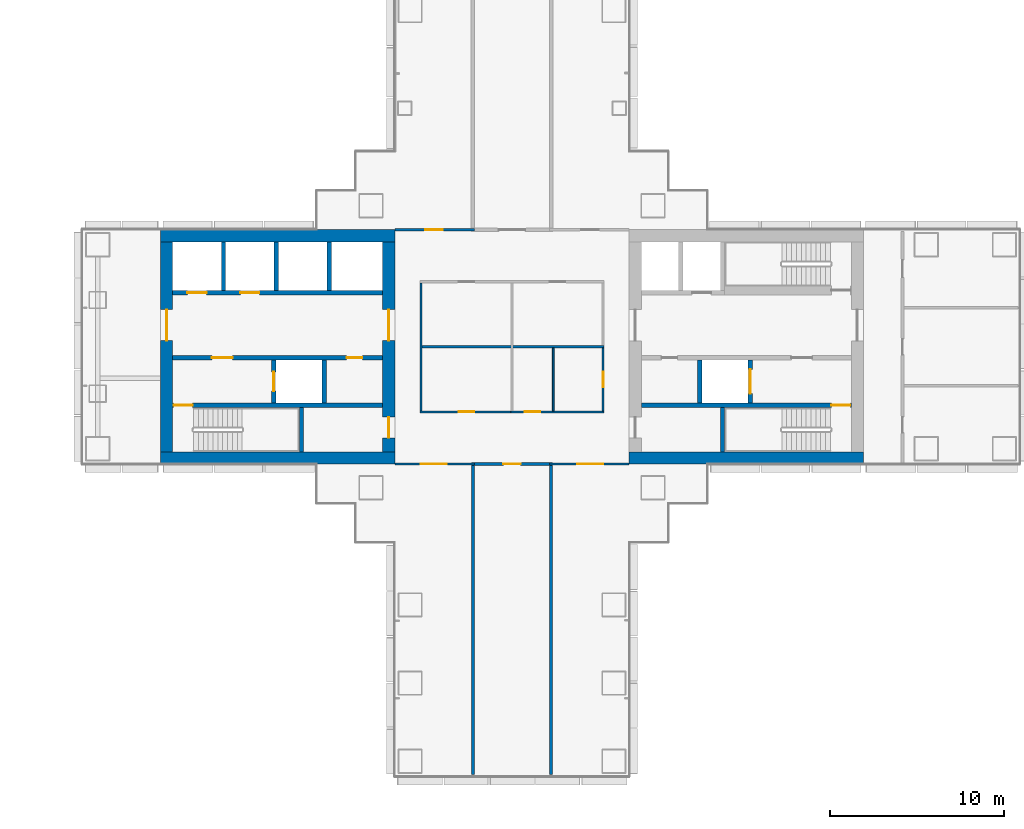
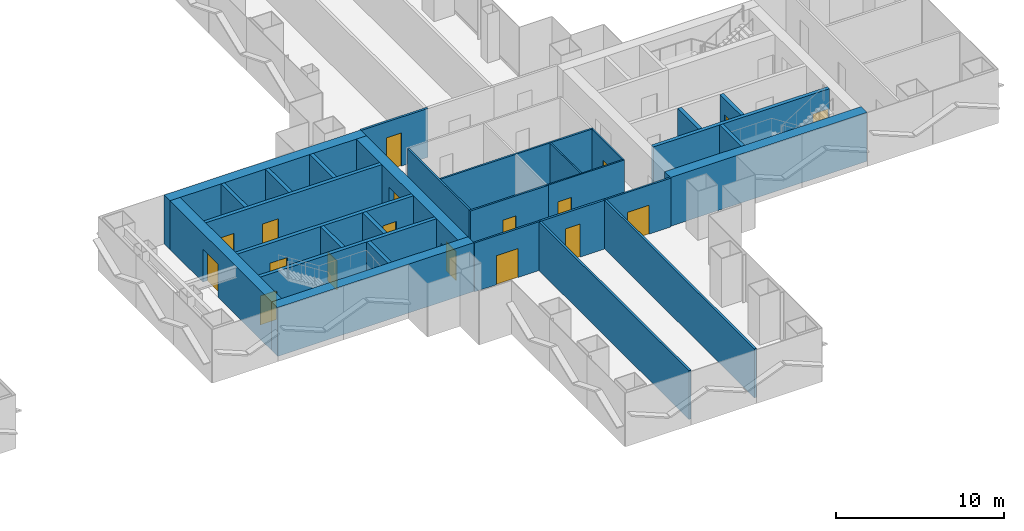
# One storey, part 15 of 21: 30 walls, 18 doors, 18 openings.
"""IFC4 building model written with IfcOpenShell, lengths in metres."""

from ifc_helpers import new_model, si_unit, direction, frame, frame_2d, origin, place, context, subcontext, project, spatial, rectangle, extrude, material, layer, layer_set, type_object, element, fill, save


model = new_model("IFC4")

# Units and contexts
model_context = context("Model", 3, precision=1e-05, world=origin(), true_north=direction((0.0, 1.0)))
body_context = subcontext(model_context, "Body", "Model", "MODEL_VIEW")
ifc_project = project(units=[si_unit("LENGTHUNIT", "METRE"), si_unit("AREAUNIT", "SQUARE_METRE"), si_unit("VOLUMEUNIT", "CUBIC_METRE"), si_unit("PLANEANGLEUNIT", "RADIAN"), si_unit("MASSUNIT", "GRAM", prefix="KILO")], contexts=[model_context])

# Site, building, storey
site_placement = place(None, origin())
site = spatial("IfcSite", under=ifc_project, at=site_placement, CompositionType="ELEMENT")
building_placement = place(site_placement, origin())
building = spatial("IfcBuilding", under=site, at=building_placement, Name="Shamsa Quay Exchange Towers", CompositionType="ELEMENT")
storey_placement = place(building_placement, frame((0.0, 0.0, 57.60009765625)))
storey = spatial("IfcBuildingStorey", under=building, at=storey_placement, Name="L12", CompositionType="ELEMENT", Elevation=57.60009765625)

# Walls
ifc_material_1 = material(Name="Concrete C80/95", Category="concrete")
ifc_layer_1 = layer(ifc_material_1, 0.699951171875)
ifc_layer_set_1 = layer_set([ifc_layer_1], Name="CORE WALL 700 C80/95")
wall_type_1 = type_object("IfcWallType", Name="CORE WALL 700 C80/95", PredefinedType="SHEAR", material=ifc_layer_set_1)
for number, where, name in (
    (1, (13.5, -6.39990234375, 0.0), "Core wall T2A-R05-PS"),
    (2, (13.5, 6.39990234375, 0.0), "Core wall T2A-R05-PN"),
):
    element("IfcWall", number, at=place(storey_placement, frame(where)), inside=storey, type_object=wall_type_1, Name=name, PredefinedType="SHEAR", context=body_context, shape_type="SweptSolid", body=[
        extrude(rectangle(XDim=13.5, YDim=0.699951171875, at=frame_2d((6.75, 0.0))), origin(), (0.0, 0.0, 1.0), 3.5498046875),
    ])

# Wall, opening, door
wall_1_placement = place(storey_placement, frame((13.85009765625, 6.050048828125, 0.0), z_axis=(0.0, 0.0, 1.0), x_axis=(0.0, -1.0, 0.0)))
wall_1 = element("IfcWall", 3, at=wall_1_placement, inside=storey, type_object=wall_type_1, Name="Core wall T2A-R05-PF", PredefinedType="SHEAR", context=body_context, shape_type="SweptSolid", body=[
    extrude(rectangle(XDim=12.10009765625, YDim=0.699951171875, at=frame_2d((6.050048828125, 0.0))), origin(), (0.0, 0.0, 1.0), 3.5498046875),
])
opening_1_placement = place(wall_1_placement, frame((3.89990234375, 0.0, 0.0)))
opening_1 = element("IfcOpeningElement", 4, at=opening_1_placement, cuts=wall_1, Name="Opening T2A-R05-LBD01", PredefinedType="OPENING", context=body_context, shape_type="SweptSolid", body=[
    extrude(rectangle(XDim=1.800048828125, YDim=2.39990234375, at=frame_2d((0.89990234375, 1.199951171875))), frame((0.0, 0.35986328125, 0.0), z_axis=(0.0, -1.0, 0.0), x_axis=(1.0, 0.0, 0.0)), (0.0, 0.0, 1.0), 0.719970703125),
])
ifc_material_2 = material(Name="Steel, fire rated", Category="steel")
door_type_1 = type_object("IfcDoorType", Name="LIFT LOBBY DOOR PAIR 1800", OperationType="DOUBLE_DOOR_SINGLE_SWING", PredefinedType="DOOR", material=ifc_material_2)
door_1_placement = place(opening_1_placement, origin())
door_1 = element("IfcDoor", 5, at=door_1_placement, inside=storey, type_object=door_type_1, Name="T2A-R05-LBD01", OperationType="DOUBLE_DOOR_SINGLE_SWING", OverallHeight=2.39990234375, OverallWidth=1.800048828125, PredefinedType="DOOR", context=body_context, shape_type="SweptSolid", body=[
    extrude(rectangle(XDim=1.800048828125, YDim=2.39990234375, at=frame_2d((0.89990234375, 1.199951171875))), frame((0.0, 0.02490234375, 0.0), z_axis=(0.0, -1.0, 0.0), x_axis=(1.0, 0.0, 0.0)), (0.0, 0.0, 1.0), 0.050048828125),
])
fill(opening_1, door_1)

# Wall, openings, doors
wall_2_placement = place(storey_placement, frame((26.64990234375, 6.050048828125, 0.0), z_axis=(0.0, 0.0, 1.0), x_axis=(0.0, -1.0, 0.0)))
wall_2 = element("IfcWall", 6, at=wall_2_placement, inside=storey, type_object=wall_type_1, Name="Core wall T2A-R05-PB", PredefinedType="SHEAR", context=body_context, shape_type="SweptSolid", body=[
    extrude(rectangle(XDim=12.10009765625, YDim=0.699951171875, at=frame_2d((6.050048828125, 0.0))), origin(), (0.0, 0.0, 1.0), 3.5498046875),
])
opening_2_placement = place(wall_2_placement, frame((10.10009765625, 0.0, 0.0)))
opening_2 = element("IfcOpeningElement", 7, at=opening_2_placement, cuts=wall_2, Name="Opening T2A-R05-RD02", PredefinedType="OPENING", context=body_context, shape_type="SweptSolid", body=[
    extrude(rectangle(XDim=1.199951171875, YDim=2.10009765625, at=frame_2d((0.60009765625, 1.050048828125))), frame((0.0, 0.35986328125, 0.0), z_axis=(0.0, -1.0, 0.0), x_axis=(1.0, 0.0, 0.0)), (0.0, 0.0, 1.0), 0.719970703125),
])
opening_3_placement = place(wall_2_placement, frame((3.89990234375, 0.0, 0.0)))
opening_3 = element("IfcOpeningElement", 8, at=opening_3_placement, cuts=wall_2, Name="Opening T2A-R05-LBD03", PredefinedType="OPENING", context=body_context, shape_type="SweptSolid", body=[
    extrude(rectangle(XDim=1.800048828125, YDim=2.39990234375, at=frame_2d((0.89990234375, 1.199951171875))), frame((0.0, 0.35986328125, 0.0), z_axis=(0.0, -1.0, 0.0), x_axis=(1.0, 0.0, 0.0)), (0.0, 0.0, 1.0), 0.719970703125),
])
door_2_placement = place(opening_3_placement, origin())
door_2 = element("IfcDoor", 9, at=door_2_placement, inside=storey, type_object=door_type_1, Name="T2A-R05-LBD03", OperationType="DOUBLE_DOOR_SINGLE_SWING", OverallHeight=2.39990234375, OverallWidth=1.800048828125, PredefinedType="DOOR", context=body_context, shape_type="SweptSolid", body=[
    extrude(rectangle(XDim=1.800048828125, YDim=2.39990234375, at=frame_2d((0.89990234375, 1.199951171875))), frame((0.0, 0.02490234375, 0.0), z_axis=(0.0, -1.0, 0.0), x_axis=(1.0, 0.0, 0.0)), (0.0, 0.0, 1.0), 0.050048828125),
])
fill(opening_3, door_2)
door_type_2 = type_object("IfcDoorType", Name="RISER ACCESS DOOR 1200", OperationType="SINGLE_SWING_LEFT", PredefinedType="DOOR", material=ifc_material_2)
door_3_placement = place(opening_2_placement, origin())
door_3 = element("IfcDoor", 10, at=door_3_placement, inside=storey, type_object=door_type_2, Name="T2A-R05-RD02", OperationType="SINGLE_SWING_RIGHT", OverallHeight=2.10009765625, OverallWidth=1.199951171875, PredefinedType="DOOR", context=body_context, shape_type="SweptSolid", body=[
    extrude(rectangle(XDim=1.199951171875, YDim=2.10009765625, at=frame_2d((0.60009765625, 1.050048828125))), frame((0.0, 0.02490234375, 0.0), z_axis=(0.0, -1.0, 0.0), x_axis=(1.0, 0.0, 0.0)), (0.0, 0.0, 1.0), 0.050048828125),
])
fill(opening_2, door_3)

# Walls
wall_3_placement = place(storey_placement, frame((54.0, -6.39990234375, 0.0), z_axis=(0.0, 0.0, 1.0), x_axis=(-1.0, 0.0, 0.0)))
element("IfcWall", 11, at=wall_3_placement, inside=storey, type_object=wall_type_1, Name="Core wall T2B-R05-PS", PredefinedType="SHEAR", context=body_context, shape_type="SweptSolid", body=[
    extrude(rectangle(XDim=13.5, YDim=0.699951171875, at=frame_2d((6.75, 0.0))), origin(), (0.0, 0.0, 1.0), 3.5498046875),
])
ifc_material_3 = material(Name="Laminated fire-resisting glass in a metal frame", Category="glass")
ifc_layer_2 = layer(ifc_material_3, 0.125)
ifc_layer_set_2 = layer_set([ifc_layer_2], Name="Glazed partition 125 mm EI 60")
wall_type_2 = type_object("IfcWallType", Name="Glazed partition 125 mm EI 60", PredefinedType="PARTITIONING", material=ifc_layer_set_2)
wall_4_placement = place(storey_placement, frame((28.5, 3.6875, 0.0), z_axis=(0.0, 0.0, 1.0), x_axis=(0.0, -1.0, 0.0)))
element("IfcWall", 12, at=wall_4_placement, inside=storey, type_object=wall_type_2, Name="Partition T2-R05-W01", PredefinedType="PARTITIONING", context=body_context, shape_type="SweptSolid", body=[
    extrude(rectangle(XDim=7.375, YDim=0.125, at=frame_2d((3.6875, 0.0))), origin(), (0.0, 0.0, 1.0), 3.5498046875),
])

# Wall, opening, door
wall_5_placement = place(storey_placement, frame((28.4375, -3.75, 0.0)))
wall_5 = element("IfcWall", 13, at=wall_5_placement, inside=storey, type_object=wall_type_2, Name="Partition T2-R05-W03", PredefinedType="PARTITIONING", context=body_context, shape_type="SweptSolid", body=[
    extrude(rectangle(XDim=5.375, YDim=0.125, at=frame_2d((2.6875, 0.0))), origin(), (0.0, 0.0, 1.0), 3.5498046875),
])
opening_4_placement = place(wall_5_placement, frame((2.237548828125, 0.0, 0.0)))
opening_4 = element("IfcOpeningElement", 14, at=opening_4_placement, cuts=wall_5, Name="Opening T2-R05-D09", PredefinedType="OPENING", context=body_context, shape_type="SweptSolid", body=[
    extrude(rectangle(XDim=0.89990234375, YDim=2.10009765625, at=frame_2d((0.449951171875, 1.050048828125))), frame((0.0, 0.072509765625, 0.0), z_axis=(0.0, -1.0, 0.0), x_axis=(1.0, 0.0, 0.0)), (0.0, 0.0, 1.0), 0.14501953125),
])
ifc_material_4 = material(Name="Timber door leaf in a metal frame", Category="wood")
door_type_3 = type_object("IfcDoorType", Name="Door 900x2100 FD30S", OperationType="NOTDEFINED", PredefinedType="DOOR", material=ifc_material_4)
door_4_placement = place(opening_4_placement, origin())
door_4 = element("IfcDoor", 15, at=door_4_placement, inside=storey, type_object=door_type_3, Name="Door T2-R05-D09", OperationType="SINGLE_SWING_LEFT", OverallHeight=2.10009765625, OverallWidth=0.89990234375, PredefinedType="DOOR", context=body_context, shape_type="SweptSolid", body=[
    extrude(rectangle(XDim=0.89990234375, YDim=2.10009765625, at=frame_2d((0.449951171875, 1.050048828125))), frame((0.0, 0.02490234375, 0.0), z_axis=(0.0, -1.0, 0.0), x_axis=(1.0, 0.0, 0.0)), (0.0, 0.0, 1.0), 0.050048828125),
])
fill(opening_4, door_4)

wall_6_placement = place(storey_placement, frame((31.574951171875, -6.75, 0.0), z_axis=(0.0, 0.0, 1.0), x_axis=(-1.0, 0.0, 0.0)))
wall_6 = element("IfcWall", 16, at=wall_6_placement, inside=storey, type_object=wall_type_2, Name="Partition T2-R05-W10", PredefinedType="PARTITIONING", context=body_context, shape_type="SweptSolid", body=[
    extrude(rectangle(XDim=4.574951171875, YDim=0.125, at=frame_2d((2.28759765625, 0.0))), origin(), (0.0, 0.0, 1.0), 3.5498046875),
])
opening_5_placement = place(wall_6_placement, frame((1.574951171875, 0.0, 0.0)))
opening_5 = element("IfcOpeningElement", 17, at=opening_5_placement, cuts=wall_6, Name="Opening T2-R05-D14", PredefinedType="OPENING", context=body_context, shape_type="SweptSolid", body=[
    extrude(rectangle(XDim=1.5, YDim=2.10009765625, at=frame_2d((0.75, 1.050048828125))), frame((0.0, 0.072509765625, 0.0), z_axis=(0.0, -1.0, 0.0), x_axis=(1.0, 0.0, 0.0)), (0.0, 0.0, 1.0), 0.14501953125),
])
door_type_4 = type_object("IfcDoorType", Name="Door 1500x2100 FD30S pair", OperationType="NOTDEFINED", PredefinedType="DOOR", material=ifc_material_4)
door_5_placement = place(opening_5_placement, origin())
door_5 = element("IfcDoor", 18, at=door_5_placement, inside=storey, type_object=door_type_4, Name="Door T2-R05-D14", OperationType="DOUBLE_DOOR_SINGLE_SWING", OverallHeight=2.10009765625, OverallWidth=1.5, PredefinedType="DOOR", context=body_context, shape_type="SweptSolid", body=[
    extrude(rectangle(XDim=1.5, YDim=2.10009765625, at=frame_2d((0.75, 1.050048828125))), frame((0.0, 0.02490234375, 0.0), z_axis=(0.0, -1.0, 0.0), x_axis=(1.0, 0.0, 0.0)), (0.0, 0.0, 1.0), 0.050048828125),
])
fill(opening_5, door_5)

wall_7_placement = place(storey_placement, frame((40.5, -6.75, 0.0), z_axis=(0.0, 0.0, 1.0), x_axis=(-1.0, 0.0, 0.0)))
wall_7 = element("IfcWall", 19, at=wall_7_placement, inside=storey, type_object=wall_type_2, Name="Partition T2-R05-W11", PredefinedType="PARTITIONING", context=body_context, shape_type="SweptSolid", body=[
    extrude(rectangle(XDim=4.574951171875, YDim=0.125, at=frame_2d((2.28759765625, 0.0))), origin(), (0.0, 0.0, 1.0), 3.5498046875),
])
opening_6_placement = place(wall_7_placement, frame((1.5, 0.0, 0.0)))
opening_6 = element("IfcOpeningElement", 20, at=opening_6_placement, cuts=wall_7, Name="Opening T2-R05-D07", PredefinedType="OPENING", context=body_context, shape_type="SweptSolid", body=[
    extrude(rectangle(XDim=1.5, YDim=2.10009765625, at=frame_2d((0.75, 1.050048828125))), frame((0.0, 0.072509765625, 0.0), z_axis=(0.0, -1.0, 0.0), x_axis=(1.0, 0.0, 0.0)), (0.0, 0.0, 1.0), 0.14501953125),
])
door_6_placement = place(opening_6_placement, origin())
door_6 = element("IfcDoor", 21, at=door_6_placement, inside=storey, type_object=door_type_4, Name="Door T2-R05-D07", OperationType="DOUBLE_DOOR_SINGLE_SWING", OverallHeight=2.10009765625, OverallWidth=1.5, PredefinedType="DOOR", context=body_context, shape_type="SweptSolid", body=[
    extrude(rectangle(XDim=1.5, YDim=2.10009765625, at=frame_2d((0.75, 1.050048828125))), frame((0.0, 0.02490234375, 0.0), z_axis=(0.0, -1.0, 0.0), x_axis=(1.0, 0.0, 0.0)), (0.0, 0.0, 1.0), 0.050048828125),
])
fill(opening_6, door_6)

# Wall
wall_8_placement = place(storey_placement, frame((28.5625, 0.0, 0.0)))
element("IfcWall", 22, at=wall_8_placement, inside=storey, type_object=wall_type_2, Name="Partition T2-R05-W14", PredefinedType="PARTITIONING", context=body_context, shape_type="SweptSolid", body=[
    extrude(rectangle(XDim=10.5, YDim=0.125, at=frame_2d((5.25, 0.0))), origin(), (0.0, 0.0, 1.0), 3.5498046875),
])

# Wall, opening, door
ifc_material_5 = material(Name="Gypsum board partition on metal studs")
ifc_layer_3 = layer(ifc_material_5, 0.10009765625)
ifc_layer_set_3 = layer_set([ifc_layer_3], Name="Partition 100 mm NOT RATED")
wall_type_3 = type_object("IfcWallType", Name="Partition 100 mm NOT RATED", PredefinedType="PARTITIONING", material=ifc_layer_set_3)
wall_9_placement = place(storey_placement, frame((33.6875, -3.75, 0.0)))
wall_9 = element("IfcWall", 23, at=wall_9_placement, inside=storey, type_object=wall_type_3, Name="Partition T2-R05-W05", PredefinedType="PARTITIONING", context=body_context, shape_type="SweptSolid", body=[
    extrude(rectangle(XDim=5.362548828125, YDim=0.10009765625, at=frame_2d((2.68115234375, 0.0))), origin(), (0.0, 0.0, 1.0), 3.5498046875),
])
opening_7_placement = place(wall_9_placement, frame((0.800048828125, 0.0, 0.0)))
opening_7 = element("IfcOpeningElement", 24, at=opening_7_placement, cuts=wall_9, Name="Opening T2-R05-D05", PredefinedType="OPENING", context=body_context, shape_type="SweptSolid", body=[
    extrude(rectangle(XDim=0.89990234375, YDim=2.10009765625, at=frame_2d((0.449951171875, 1.050048828125))), frame((0.0, 0.06005859375, 0.0), z_axis=(0.0, -1.0, 0.0), x_axis=(1.0, 0.0, 0.0)), (0.0, 0.0, 1.0), 0.1201171875),
])
door_type_5 = type_object("IfcDoorType", Name="Door 900x2100 NOT RATED", OperationType="NOTDEFINED", PredefinedType="DOOR", material=ifc_material_4)
door_7_placement = place(opening_7_placement, origin())
door_7 = element("IfcDoor", 25, at=door_7_placement, inside=storey, type_object=door_type_5, Name="Door T2-R05-D05", OperationType="SINGLE_SWING_LEFT", OverallHeight=2.10009765625, OverallWidth=0.89990234375, PredefinedType="DOOR", context=body_context, shape_type="SweptSolid", body=[
    extrude(rectangle(XDim=0.89990234375, YDim=2.10009765625, at=frame_2d((0.449951171875, 1.050048828125))), frame((0.0, 0.02490234375, 0.0), z_axis=(0.0, -1.0, 0.0), x_axis=(1.0, 0.0, 0.0)), (0.0, 0.0, 1.0), 0.050048828125),
])
fill(opening_7, door_7)

wall_10_placement = place(storey_placement, frame((39.0, -3.699951171875, 0.0), z_axis=(0.0, 0.0, 1.0), x_axis=(0.0, 1.0, 0.0)))
wall_10 = element("IfcWall", 26, at=wall_10_placement, inside=storey, type_object=wall_type_3, Name="Partition T2-R05-W06", PredefinedType="PARTITIONING", context=body_context, shape_type="SweptSolid", body=[
    extrude(rectangle(XDim=3.637451171875, YDim=0.10009765625, at=frame_2d((1.81884765625, 0.0))), origin(), (0.0, 0.0, 1.0), 3.5498046875),
])
opening_8_placement = place(wall_10_placement, frame((1.375, 0.0, 0.0)))
opening_8 = element("IfcOpeningElement", 27, at=opening_8_placement, cuts=wall_10, Name="Opening T2-R05-D06", PredefinedType="OPENING", context=body_context, shape_type="SweptSolid", body=[
    extrude(rectangle(XDim=0.89990234375, YDim=2.10009765625, at=frame_2d((0.449951171875, 1.050048828125))), frame((0.0, 0.06005859375, 0.0), z_axis=(0.0, -1.0, 0.0), x_axis=(1.0, 0.0, 0.0)), (0.0, 0.0, 1.0), 0.1201171875),
])
door_8_placement = place(opening_8_placement, origin())
door_8 = element("IfcDoor", 28, at=door_8_placement, inside=storey, type_object=door_type_5, Name="Door T2-R05-D06", OperationType="SINGLE_SWING_LEFT", OverallHeight=2.10009765625, OverallWidth=0.89990234375, PredefinedType="DOOR", context=body_context, shape_type="SweptSolid", body=[
    extrude(rectangle(XDim=0.89990234375, YDim=2.10009765625, at=frame_2d((0.449951171875, 1.050048828125))), frame((0.0, 0.02490234375, 0.0), z_axis=(0.0, -1.0, 0.0), x_axis=(1.0, 0.0, 0.0)), (0.0, 0.0, 1.0), 0.050048828125),
])
fill(opening_8, door_8)

# Wall
wall_11_placement = place(storey_placement, frame((36.125, -0.0625, 0.0), z_axis=(0.0, 0.0, 1.0), x_axis=(0.0, -1.0, 0.0)))
element("IfcWall", 29, at=wall_11_placement, inside=storey, type_object=wall_type_3, Name="Partition T2-R05-W16", PredefinedType="PARTITIONING", context=body_context, shape_type="SweptSolid", body=[
    extrude(rectangle(XDim=3.637451171875, YDim=0.10009765625, at=frame_2d((1.81884765625, 0.0))), origin(), (0.0, 0.0, 1.0), 3.5498046875),
])

# Wall, opening, door
ifc_layer_4 = layer(ifc_material_5, 0.14990234375)
ifc_layer_set_4 = layer_set([ifc_layer_4], Name="Partition 150 mm EI 60")
wall_type_4 = type_object("IfcWallType", Name="Partition 150 mm EI 60", PredefinedType="PARTITIONING", material=ifc_layer_set_4)
wall_12_placement = place(storey_placement, frame((27.0, 6.75, 0.0)))
wall_12 = element("IfcWall", 30, at=wall_12_placement, inside=storey, type_object=wall_type_4, Name="Partition T2-R05-W08", PredefinedType="PARTITIONING", context=body_context, shape_type="SweptSolid", body=[
    extrude(rectangle(XDim=4.60009765625, YDim=0.14990234375, at=frame_2d((2.300048828125, 0.0))), origin(), (0.0, 0.0, 1.0), 3.5498046875),
])
opening_9_placement = place(wall_12_placement, frame((1.75, 0.0, 0.0)))
opening_9 = element("IfcOpeningElement", 31, at=opening_9_placement, cuts=wall_12, Name="Opening T2-R05-D11", PredefinedType="OPENING", context=body_context, shape_type="SweptSolid", body=[
    extrude(rectangle(XDim=1.0, YDim=2.39990234375, at=frame_2d((0.5, 1.199951171875))), frame((0.0, 0.0849609375, 0.0), z_axis=(0.0, -1.0, 0.0), x_axis=(1.0, 0.0, 0.0)), (0.0, 0.0, 1.0), 0.169921875),
])
door_type_6 = type_object("IfcDoorType", Name="Door 1000x2400 FD30S", OperationType="NOTDEFINED", PredefinedType="DOOR", material=ifc_material_4)
door_9_placement = place(opening_9_placement, origin())
door_9 = element("IfcDoor", 32, at=door_9_placement, inside=storey, type_object=door_type_6, Name="Door T2-R05-D11", OperationType="SINGLE_SWING_LEFT", OverallHeight=2.39990234375, OverallWidth=1.0, PredefinedType="DOOR", context=body_context, shape_type="SweptSolid", body=[
    extrude(rectangle(XDim=1.0, YDim=2.39990234375, at=frame_2d((0.5, 1.199951171875))), frame((0.0, 0.02490234375, 0.0), z_axis=(0.0, -1.0, 0.0), x_axis=(1.0, 0.0, 0.0)), (0.0, 0.0, 1.0), 0.050048828125),
])
fill(opening_9, door_9)

wall_13_placement = place(storey_placement, frame((36.074951171875, -6.75, 0.0), z_axis=(0.0, 0.0, 1.0), x_axis=(-1.0, 0.0, 0.0)))
wall_13 = element("IfcWall", 33, at=wall_13_placement, inside=storey, type_object=wall_type_4, Name="Partition T2-R05-W12", PredefinedType="PARTITIONING", context=body_context, shape_type="SweptSolid", body=[
    extrude(rectangle(XDim=4.64990234375, YDim=0.14990234375, at=frame_2d((2.324951171875, 0.0))), origin(), (0.0, 0.0, 1.0), 3.5498046875),
])
opening_10_placement = place(wall_13_placement, frame((1.824951171875, 0.0, 0.0)))
opening_10 = element("IfcOpeningElement", 34, at=opening_10_placement, cuts=wall_13, Name="Opening T2-R05-D10", PredefinedType="OPENING", context=body_context, shape_type="SweptSolid", body=[
    extrude(rectangle(XDim=1.0, YDim=2.39990234375, at=frame_2d((0.5, 1.199951171875))), frame((0.0, 0.0849609375, 0.0), z_axis=(0.0, -1.0, 0.0), x_axis=(1.0, 0.0, 0.0)), (0.0, 0.0, 1.0), 0.169921875),
])
door_10_placement = place(opening_10_placement, origin())
door_10 = element("IfcDoor", 35, at=door_10_placement, inside=storey, type_object=door_type_6, Name="Door T2-R05-D10", OperationType="SINGLE_SWING_LEFT", OverallHeight=2.39990234375, OverallWidth=1.0, PredefinedType="DOOR", context=body_context, shape_type="SweptSolid", body=[
    extrude(rectangle(XDim=1.0, YDim=2.39990234375, at=frame_2d((0.5, 1.199951171875))), frame((0.0, 0.02490234375, 0.0), z_axis=(0.0, -1.0, 0.0), x_axis=(1.0, 0.0, 0.0)), (0.0, 0.0, 1.0), 0.050048828125),
])
fill(opening_10, door_10)

# Walls
for number, where, z_axis, x_axis, name in (
    (36, (36.0, -6.824951171875, 0.0), (0.0, 0.0, 1.0), (0.0, -1.0, 0.0), "Partition T2-R05-W19"),
    (37, (31.5, -6.824951171875, 0.0), (0.0, 0.0, 1.0), (0.0, -1.0, 0.0), "Partition T2-R05-W20"),
):
    element("IfcWall", number, at=place(storey_placement, frame(where, z_axis=z_axis, x_axis=x_axis)), inside=storey, type_object=wall_type_4, Name=name, PredefinedType="PARTITIONING", context=body_context, shape_type="SweptSolid", body=[
        extrude(rectangle(XDim=17.830078125, YDim=0.14990234375, at=frame_2d((8.9150390625, 0.0))), origin(), (0.0, 0.0, 1.0), 3.5498046875),
    ])

# Wall, opening, door
ifc_material_6 = material(Name="Concrete C50/60", Category="concrete")
ifc_layer_5 = layer(ifc_material_6, 0.25)
ifc_layer_set_5 = layer_set([ifc_layer_5], Name="SHAFT WALL 250 C50/60")
wall_type_5 = type_object("IfcWallType", Name="SHAFT WALL 250 C50/60", PredefinedType="SHEAR", material=ifc_layer_set_5)
wall_14_placement = place(storey_placement, frame((26.300048828125, -3.375, 0.0), z_axis=(0.0, 0.0, 1.0), x_axis=(-1.0, 0.0, 0.0)))
wall_14 = element("IfcWall", 38, at=wall_14_placement, inside=storey, type_object=wall_type_5, Name="Shaft wall T2A-R05-STL", PredefinedType="SHEAR", context=body_context, shape_type="SweptSolid", body=[
    extrude(rectangle(XDim=12.10009765625, YDim=0.25, at=frame_2d((6.050048828125, 0.0))), origin(), (0.0, 0.0, 1.0), 3.5498046875),
])
opening_11_placement = place(wall_14_placement, frame((10.949951171875, 0.0, 0.0)))
opening_11 = element("IfcOpeningElement", 39, at=opening_11_placement, cuts=wall_14, Name="Opening T2A-R05-SD04", PredefinedType="OPENING", context=body_context, shape_type="SweptSolid", body=[
    extrude(rectangle(XDim=1.10009765625, YDim=2.10009765625, at=frame_2d((0.550048828125, 1.050048828125))), frame((0.0, 0.135009765625, 0.0), z_axis=(0.0, -1.0, 0.0), x_axis=(1.0, 0.0, 0.0)), (0.0, 0.0, 1.0), 0.27001953125),
])
door_type_7 = type_object("IfcDoorType", Name="STAIR DOOR 1100", OperationType="SINGLE_SWING_LEFT", PredefinedType="DOOR", material=ifc_material_2)
door_11_placement = place(opening_11_placement, origin())
door_11 = element("IfcDoor", 40, at=door_11_placement, inside=storey, type_object=door_type_7, Name="T2A-R05-SD04", OperationType="SINGLE_SWING_RIGHT", OverallHeight=2.10009765625, OverallWidth=1.10009765625, PredefinedType="DOOR", context=body_context, shape_type="SweptSolid", body=[
    extrude(rectangle(XDim=1.10009765625, YDim=2.10009765625, at=frame_2d((0.550048828125, 1.050048828125))), frame((0.0, 0.02490234375, 0.0), z_axis=(0.0, -1.0, 0.0), x_axis=(1.0, 0.0, 0.0)), (0.0, 0.0, 1.0), 0.050048828125),
])
fill(opening_11, door_11)

# Wall
wall_15_placement = place(storey_placement, frame((21.625, -6.050048828125, 0.0), z_axis=(0.0, 0.0, 1.0), x_axis=(0.0, 1.0, 0.0)))
element("IfcWall", 41, at=wall_15_placement, inside=storey, type_object=wall_type_5, Name="Shaft wall T2A-R05-STF", PredefinedType="SHEAR", context=body_context, shape_type="SweptSolid", body=[
    extrude(rectangle(XDim=2.550048828125, YDim=0.25, at=frame_2d((1.27490234375, 0.0))), origin(), (0.0, 0.0, 1.0), 3.5498046875),
])

# Wall, openings, doors
wall_16_placement = place(storey_placement, frame((26.300048828125, -0.625, 0.0), z_axis=(0.0, 0.0, 1.0), x_axis=(-1.0, 0.0, 0.0)))
wall_16 = element("IfcWall", 42, at=wall_16_placement, inside=storey, type_object=wall_type_5, Name="Shaft wall T2A-R05-B", PredefinedType="SHEAR", context=body_context, shape_type="SweptSolid", body=[
    extrude(rectangle(XDim=12.10009765625, YDim=0.25, at=frame_2d((6.050048828125, 0.0))), origin(), (0.0, 0.0, 1.0), 3.5498046875),
])
opening_12_placement = place(wall_16_placement, frame((8.64990234375, 0.0, 0.0)))
opening_12 = element("IfcOpeningElement", 43, at=opening_12_placement, cuts=wall_16, Name="Opening T2A-R05-FD05", PredefinedType="OPENING", context=body_context, shape_type="SweptSolid", body=[
    extrude(rectangle(XDim=1.199951171875, YDim=2.10009765625, at=frame_2d((0.60009765625, 1.050048828125))), frame((0.0, 0.135009765625, 0.0), z_axis=(0.0, -1.0, 0.0), x_axis=(1.0, 0.0, 0.0)), (0.0, 0.0, 1.0), 0.27001953125),
])
opening_13_placement = place(wall_16_placement, frame((1.175048828125, 0.0, 0.0)))
opening_13 = element("IfcOpeningElement", 44, at=opening_13_placement, cuts=wall_16, Name="Opening T2A-R05-SV06", PredefinedType="OPENING", context=body_context, shape_type="SweptSolid", body=[
    extrude(rectangle(XDim=0.89990234375, YDim=2.10009765625, at=frame_2d((0.449951171875, 1.050048828125))), frame((0.0, 0.135009765625, 0.0), z_axis=(0.0, -1.0, 0.0), x_axis=(1.0, 0.0, 0.0)), (0.0, 0.0, 1.0), 0.27001953125),
])
door_type_8 = type_object("IfcDoorType", Name="FIRE SERVICE LOBBY DOOR 1200", OperationType="SINGLE_SWING_LEFT", PredefinedType="DOOR", material=ifc_material_2)
door_12_placement = place(opening_12_placement, origin())
door_12 = element("IfcDoor", 45, at=door_12_placement, inside=storey, type_object=door_type_8, Name="T2A-R05-FD05", OperationType="SINGLE_SWING_RIGHT", OverallHeight=2.10009765625, OverallWidth=1.199951171875, PredefinedType="DOOR", context=body_context, shape_type="SweptSolid", body=[
    extrude(rectangle(XDim=1.199951171875, YDim=2.10009765625, at=frame_2d((0.60009765625, 1.050048828125))), frame((0.0, 0.02490234375, 0.0), z_axis=(0.0, -1.0, 0.0), x_axis=(1.0, 0.0, 0.0)), (0.0, 0.0, 1.0), 0.050048828125),
])
fill(opening_12, door_12)
door_type_9 = type_object("IfcDoorType", Name="SERVICE ROOM DOOR 900", OperationType="SINGLE_SWING_LEFT", PredefinedType="DOOR", material=ifc_material_2)
door_13_placement = place(opening_13_placement, origin())
door_13 = element("IfcDoor", 46, at=door_13_placement, inside=storey, type_object=door_type_9, Name="T2A-R05-SV06", OperationType="SINGLE_SWING_LEFT", OverallHeight=2.10009765625, OverallWidth=0.89990234375, PredefinedType="DOOR", context=body_context, shape_type="SweptSolid", body=[
    extrude(rectangle(XDim=0.89990234375, YDim=2.10009765625, at=frame_2d((0.449951171875, 1.050048828125))), frame((0.0, 0.02490234375, 0.0), z_axis=(0.0, -1.0, 0.0), x_axis=(1.0, 0.0, 0.0)), (0.0, 0.0, 1.0), 0.050048828125),
])
fill(opening_13, door_13)

# Wall, opening, door
wall_17_placement = place(storey_placement, frame((20.02490234375, -3.25, 0.0), z_axis=(0.0, 0.0, 1.0), x_axis=(0.0, 1.0, 0.0)))
wall_17 = element("IfcWall", 47, at=wall_17_placement, inside=storey, type_object=wall_type_5, Name="Shaft wall T2A-R05-FFF", PredefinedType="SHEAR", context=body_context, shape_type="SweptSolid", body=[
    extrude(rectangle(XDim=2.5, YDim=0.25, at=frame_2d((1.25, 0.0))), origin(), (0.0, 0.0, 1.0), 3.5498046875),
])
opening_14_placement = place(wall_17_placement, frame((0.699951171875, 0.0, 0.0)))
opening_14 = element("IfcOpeningElement", 48, at=opening_14_placement, cuts=wall_17, Name="Opening T2A-R05-LDF07", PredefinedType="OPENING", context=body_context, shape_type="SweptSolid", body=[
    extrude(rectangle(XDim=1.10009765625, YDim=2.10009765625, at=frame_2d((0.550048828125, 1.050048828125))), frame((0.0, 0.135009765625, 0.0), z_axis=(0.0, -1.0, 0.0), x_axis=(1.0, 0.0, 0.0)), (0.0, 0.0, 1.0), 0.27001953125),
])
door_type_10 = type_object("IfcDoorType", Name="FIRE SERVICE LANDING DOOR 1100", OperationType="SLIDING_TO_LEFT", PredefinedType="DOOR", material=ifc_material_2)
door_14_placement = place(opening_14_placement, origin())
door_14 = element("IfcDoor", 49, at=door_14_placement, inside=storey, type_object=door_type_10, Name="T2A-R05-LDF07", OperationType="SLIDING_TO_LEFT", OverallHeight=2.10009765625, OverallWidth=1.10009765625, PredefinedType="DOOR", context=body_context, shape_type="SweptSolid", body=[
    extrude(rectangle(XDim=1.10009765625, YDim=2.10009765625, at=frame_2d((0.550048828125, 1.050048828125))), frame((0.0, 0.02490234375, 0.0), z_axis=(0.0, -1.0, 0.0), x_axis=(1.0, 0.0, 0.0)), (0.0, 0.0, 1.0), 0.050048828125),
])
fill(opening_14, door_14)

# Wall
wall_18_placement = place(storey_placement, frame((22.925048828125, -3.25, 0.0), z_axis=(0.0, 0.0, 1.0), x_axis=(0.0, 1.0, 0.0)))
element("IfcWall", 50, at=wall_18_placement, inside=storey, type_object=wall_type_5, Name="Shaft wall T2A-R05-FFB", PredefinedType="SHEAR", context=body_context, shape_type="SweptSolid", body=[
    extrude(rectangle(XDim=2.5, YDim=0.25, at=frame_2d((1.25, 0.0))), origin(), (0.0, 0.0, 1.0), 3.5498046875),
])

# Wall, openings, doors
wall_19_placement = place(storey_placement, frame((14.199951171875, 3.125, 0.0)))
wall_19 = element("IfcWall", 51, at=wall_19_placement, inside=storey, type_object=wall_type_5, Name="Shaft wall T2A-R05-N", PredefinedType="SHEAR", context=body_context, shape_type="SweptSolid", body=[
    extrude(rectangle(XDim=12.10009765625, YDim=0.25, at=frame_2d((6.050048828125, 0.0))), origin(), (0.0, 0.0, 1.0), 3.5498046875),
])
opening_15_placement = place(wall_19_placement, frame((0.85009765625, 0.0, 0.0)))
opening_15 = element("IfcOpeningElement", 52, at=opening_15_placement, cuts=wall_19, Name="Opening T2A-R05-LD08", PredefinedType="OPENING", context=body_context, shape_type="SweptSolid", body=[
    extrude(rectangle(XDim=1.10009765625, YDim=2.10009765625, at=frame_2d((0.550048828125, 1.050048828125))), frame((0.0, 0.135009765625, 0.0), z_axis=(0.0, -1.0, 0.0), x_axis=(1.0, 0.0, 0.0)), (0.0, 0.0, 1.0), 0.27001953125),
])
opening_16_placement = place(wall_19_placement, frame((3.89990234375, 0.0, 0.0)))
opening_16 = element("IfcOpeningElement", 53, at=opening_16_placement, cuts=wall_19, Name="Opening T2A-R05-LD09", PredefinedType="OPENING", context=body_context, shape_type="SweptSolid", body=[
    extrude(rectangle(XDim=1.10009765625, YDim=2.10009765625, at=frame_2d((0.550048828125, 1.050048828125))), frame((0.0, 0.135009765625, 0.0), z_axis=(0.0, -1.0, 0.0), x_axis=(1.0, 0.0, 0.0)), (0.0, 0.0, 1.0), 0.27001953125),
])
door_type_11 = type_object("IfcDoorType", Name="LANDING DOOR 1100", OperationType="SLIDING_TO_LEFT", PredefinedType="DOOR", material=ifc_material_2)
door_15_placement = place(opening_15_placement, origin())
door_15 = element("IfcDoor", 54, at=door_15_placement, inside=storey, type_object=door_type_11, Name="T2A-R05-LD08", OperationType="SLIDING_TO_LEFT", OverallHeight=2.10009765625, OverallWidth=1.10009765625, PredefinedType="DOOR", context=body_context, shape_type="SweptSolid", body=[
    extrude(rectangle(XDim=1.10009765625, YDim=2.10009765625, at=frame_2d((0.550048828125, 1.050048828125))), frame((0.0, 0.02490234375, 0.0), z_axis=(0.0, -1.0, 0.0), x_axis=(1.0, 0.0, 0.0)), (0.0, 0.0, 1.0), 0.050048828125),
])
fill(opening_15, door_15)
door_16_placement = place(opening_16_placement, origin())
door_16 = element("IfcDoor", 55, at=door_16_placement, inside=storey, type_object=door_type_11, Name="T2A-R05-LD09", OperationType="SLIDING_TO_LEFT", OverallHeight=2.10009765625, OverallWidth=1.10009765625, PredefinedType="DOOR", context=body_context, shape_type="SweptSolid", body=[
    extrude(rectangle(XDim=1.10009765625, YDim=2.10009765625, at=frame_2d((0.550048828125, 1.050048828125))), frame((0.0, 0.02490234375, 0.0), z_axis=(0.0, -1.0, 0.0), x_axis=(1.0, 0.0, 0.0)), (0.0, 0.0, 1.0), 0.050048828125),
])
fill(opening_16, door_16)

# Walls
for number, where, z_axis, x_axis, name in (
    (56, (17.125, 3.25, 0.0), (0.0, 0.0, 1.0), (0.0, 1.0, 0.0), "Shaft wall T2A-R05-D0"),
    (57, (20.175048828125, 3.25, 0.0), (0.0, 0.0, 1.0), (0.0, 1.0, 0.0), "Shaft wall T2A-R05-D1"),
    (58, (23.22509765625, 3.25, 0.0), (0.0, 0.0, 1.0), (0.0, 1.0, 0.0), "Shaft wall T2A-R05-D2"),
):
    element("IfcWall", number, at=place(storey_placement, frame(where, z_axis=z_axis, x_axis=x_axis)), inside=storey, type_object=wall_type_5, Name=name, PredefinedType="SHEAR", context=body_context, shape_type="SweptSolid", body=[
        extrude(rectangle(XDim=2.800048828125, YDim=0.25, at=frame_2d((1.39990234375, 0.0))), origin(), (0.0, 0.0, 1.0), 3.5498046875),
    ])

# Wall, opening, door
wall_20_placement = place(storey_placement, frame((53.300048828125, -3.375, 0.0), z_axis=(0.0, 0.0, 1.0), x_axis=(-1.0, 0.0, 0.0)))
wall_20 = element("IfcWall", 59, at=wall_20_placement, inside=storey, type_object=wall_type_5, Name="Shaft wall T2B-R05-STL", PredefinedType="SHEAR", context=body_context, shape_type="SweptSolid", body=[
    extrude(rectangle(XDim=12.10009765625, YDim=0.25, at=frame_2d((6.050048828125, 0.0))), origin(), (0.0, 0.0, 1.0), 3.5498046875),
])
opening_17_placement = place(wall_20_placement, frame((0.050048828125, 0.0, 0.0)))
opening_17 = element("IfcOpeningElement", 60, at=opening_17_placement, cuts=wall_20, Name="Opening T2B-R05-SD04", PredefinedType="OPENING", context=body_context, shape_type="SweptSolid", body=[
    extrude(rectangle(XDim=1.10009765625, YDim=2.10009765625, at=frame_2d((0.550048828125, 1.050048828125))), frame((0.0, 0.135009765625, 0.0), z_axis=(0.0, -1.0, 0.0), x_axis=(1.0, 0.0, 0.0)), (0.0, 0.0, 1.0), 0.27001953125),
])
door_17_placement = place(opening_17_placement, origin())
door_17 = element("IfcDoor", 61, at=door_17_placement, inside=storey, type_object=door_type_7, Name="T2B-R05-SD04", OperationType="SINGLE_SWING_LEFT", OverallHeight=2.10009765625, OverallWidth=1.10009765625, PredefinedType="DOOR", context=body_context, shape_type="SweptSolid", body=[
    extrude(rectangle(XDim=1.10009765625, YDim=2.10009765625, at=frame_2d((0.550048828125, 1.050048828125))), frame((0.0, 0.02490234375, 0.0), z_axis=(0.0, -1.0, 0.0), x_axis=(1.0, 0.0, 0.0)), (0.0, 0.0, 1.0), 0.050048828125),
])
fill(opening_17, door_17)

# Wall
wall_21_placement = place(storey_placement, frame((45.875, -6.050048828125, 0.0), z_axis=(0.0, 0.0, 1.0), x_axis=(0.0, 1.0, 0.0)))
element("IfcWall", 62, at=wall_21_placement, inside=storey, type_object=wall_type_5, Name="Shaft wall T2B-R05-STF", PredefinedType="SHEAR", context=body_context, shape_type="SweptSolid", body=[
    extrude(rectangle(XDim=2.550048828125, YDim=0.25, at=frame_2d((1.27490234375, 0.0))), origin(), (0.0, 0.0, 1.0), 3.5498046875),
])

# Wall, opening, door
wall_22_placement = place(storey_placement, frame((47.47509765625, -3.25, 0.0), z_axis=(0.0, 0.0, 1.0), x_axis=(0.0, 1.0, 0.0)))
wall_22 = element("IfcWall", 63, at=wall_22_placement, inside=storey, type_object=wall_type_5, Name="Shaft wall T2B-R05-FFF", PredefinedType="SHEAR", context=body_context, shape_type="SweptSolid", body=[
    extrude(rectangle(XDim=2.5, YDim=0.25, at=frame_2d((1.25, 0.0))), origin(), (0.0, 0.0, 1.0), 3.5498046875),
])
opening_18_placement = place(wall_22_placement, frame((0.550048828125, 0.0, 0.0)))
opening_18 = element("IfcOpeningElement", 64, at=opening_18_placement, cuts=wall_22, Name="Opening T2B-R05-LDG07", PredefinedType="OPENING", context=body_context, shape_type="SweptSolid", body=[
    extrude(rectangle(XDim=1.39990234375, YDim=2.39990234375, at=frame_2d((0.699951171875, 1.199951171875))), frame((0.0, 0.135009765625, 0.0), z_axis=(0.0, -1.0, 0.0), x_axis=(1.0, 0.0, 0.0)), (0.0, 0.0, 1.0), 0.27001953125),
])
door_type_12 = type_object("IfcDoorType", Name="GOODS LIFT LANDING DOOR 1400", OperationType="SLIDING_TO_LEFT", PredefinedType="DOOR", material=ifc_material_2)
door_18_placement = place(opening_18_placement, origin())
door_18 = element("IfcDoor", 65, at=door_18_placement, inside=storey, type_object=door_type_12, Name="T2B-R05-LDG07", OperationType="SLIDING_TO_LEFT", OverallHeight=2.39990234375, OverallWidth=1.39990234375, PredefinedType="DOOR", context=body_context, shape_type="SweptSolid", body=[
    extrude(rectangle(XDim=1.39990234375, YDim=2.39990234375, at=frame_2d((0.699951171875, 1.199951171875))), frame((0.0, 0.02490234375, 0.0), z_axis=(0.0, -1.0, 0.0), x_axis=(1.0, 0.0, 0.0)), (0.0, 0.0, 1.0), 0.050048828125),
])
fill(opening_18, door_18)

# Wall
wall_23_placement = place(storey_placement, frame((44.574951171875, -3.25, 0.0), z_axis=(0.0, 0.0, 1.0), x_axis=(0.0, 1.0, 0.0)))
element("IfcWall", 66, at=wall_23_placement, inside=storey, type_object=wall_type_5, Name="Shaft wall T2B-R05-FFB", PredefinedType="SHEAR", context=body_context, shape_type="SweptSolid", body=[
    extrude(rectangle(XDim=2.5, YDim=0.25, at=frame_2d((1.25, 0.0))), origin(), (0.0, 0.0, 1.0), 3.5498046875),
])

save(model, "model.ifc")
